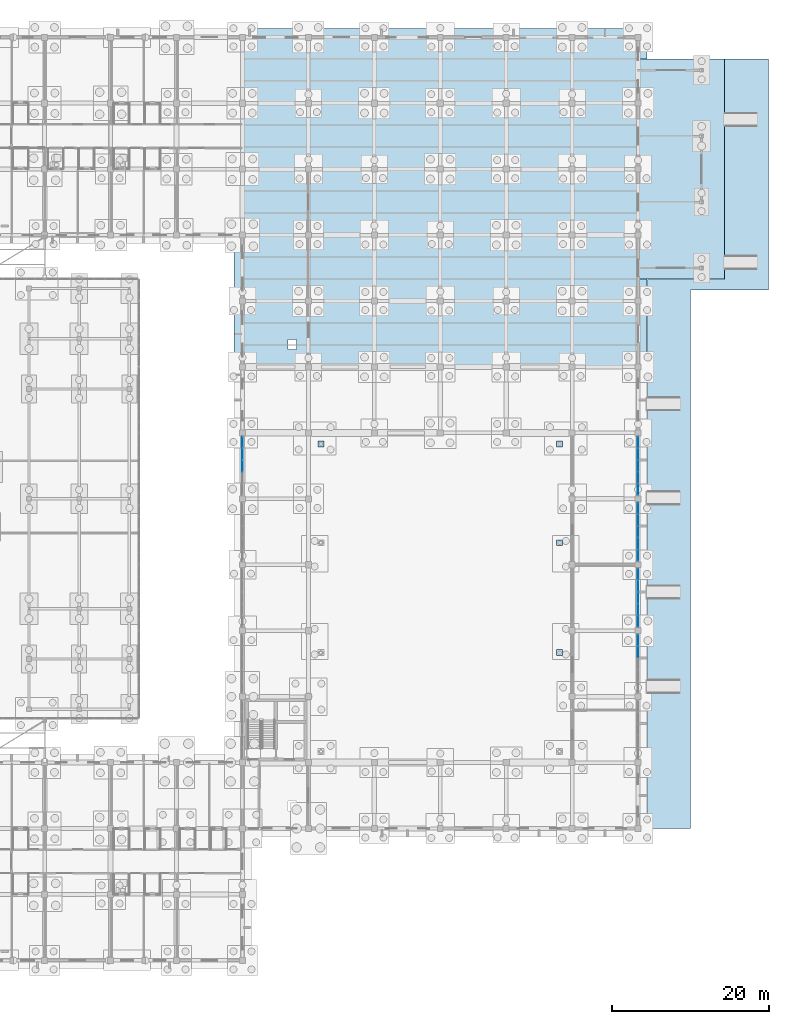
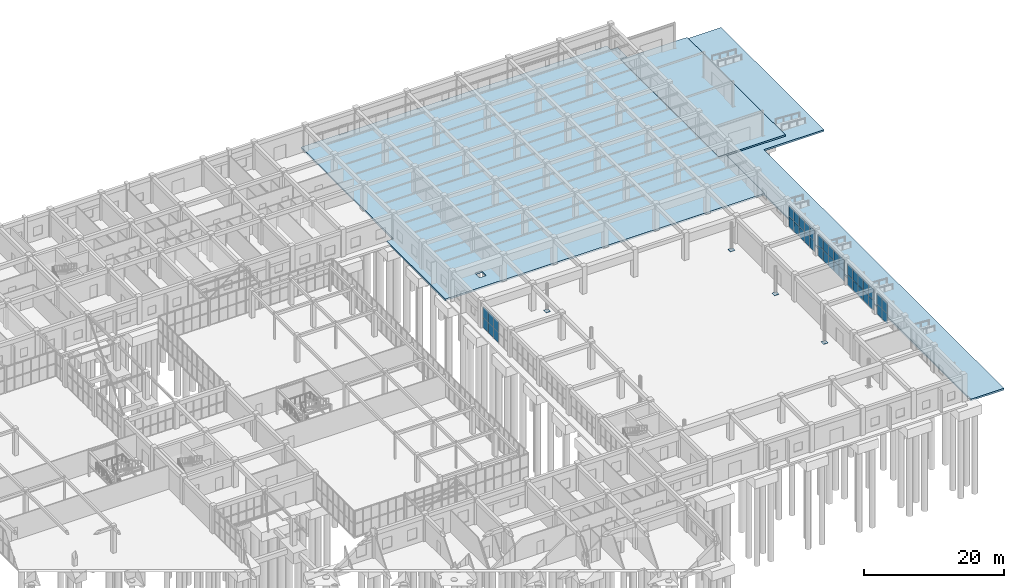
# One storey, part 145 of 192: 44 plates, 3 slabs, 5 elements without a shape of their own.
"""IFC4 building model written with IfcOpenShell, lengths in metres."""

from ifc_helpers import new_model, si_unit, direction, frame, origin, origin_2d, place, context, subcontext, project, spatial, polyline, rectangle, outline, extrude, material, layer, layer_set, type_object, element, aggregate, save


model = new_model("IFC4")

# Units and contexts
model_context = context("Model", 3, precision=1e-05, world=origin(), true_north=direction((0.0, 1.0)))
body_context = subcontext(model_context, "Body", "Model", "MODEL_VIEW")
ifc_project = project(units=[si_unit("LENGTHUNIT", "METRE"), si_unit("AREAUNIT", "SQUARE_METRE"), si_unit("VOLUMEUNIT", "CUBIC_METRE"), si_unit("PLANEANGLEUNIT", "RADIAN"), si_unit("MASSUNIT", "GRAM", prefix="KILO")], contexts=[model_context])

# Site, building, storey
site_placement = place(None, origin())
site = spatial("IfcSite", under=ifc_project, at=site_placement, CompositionType="ELEMENT")
building_placement = place(site_placement, origin())
building = spatial("IfcBuilding", under=site, at=building_placement, Name="Trelvath General Hospital", CompositionType="ELEMENT")
storey_placement = place(building_placement, origin())
storey = spatial("IfcBuildingStorey", under=building, at=storey_placement, Name="L00", CompositionType="ELEMENT", Elevation=0.0)

# Slabs
ifc_material_1 = material(Name="Concrete C35/45", Category="concrete")
ifc_layer_1 = layer(ifc_material_1, 0.300048828125)
ifc_layer_set_1 = layer_set([ifc_layer_1], Name="Concrete C35/45")
slab_type = type_object("IfcSlabType", Name="BaseSlab RC300", PredefinedType="BASESLAB", material=ifc_layer_set_1)
slab_1_placement = place(storey_placement, frame((0.0, 0.0, -0.300048828125)))
element("IfcSlab", 1, at=slab_1_placement, inside=storey, type_object=slab_type, Name="Ambulance Drop-Off Structural Base Slab", PredefinedType="BASESLAB", context=body_context, shape_type="SweptSolid", body=[
    extrude(outline(polyline([(184.820068359375, 86.800048828125), (195.800048828125, 86.800048828125), (195.800048828125, 114.800048828125), (184.820068359375, 114.800048828125), (184.820068359375, 86.800048828125)])), origin(), (0.0, 0.0, 1.0), 0.300048828125),
])
slab_2_placement = place(storey_placement, frame((0.0, 0.0, -0.300048828125)))
element("IfcSlab", 2, at=slab_2_placement, inside=storey, type_object=slab_type, Name="Floor Slab SL-L00-V2-E1", PredefinedType="BASESLAB", context=body_context, shape_type="SweptSolid", body=[
    extrude(outline(polyline([(133.300048828125, 75.6201171875), (133.300048828125, 92.3798828125), (134.39990234375, 92.3798828125), (134.39990234375, 117.60009765625), (134.419921875, 117.60009765625), (134.39990234375, 117.6201171875), (134.39990234375, 118.699951171875), (184.800048828125, 118.699951171875), (184.800048828125, 117.60009765625), (185.949951171875, 117.60009765625), (185.949951171875, 114.820068359375), (184.800048828125, 114.820068359375), (184.800048828125, 86.780029296875), (185.949951171875, 86.780029296875), (185.949951171875, 75.6201171875), (133.300048828125, 75.6201171875)]), holes=[polyline([(140.199951171875, 77.800048828125), (141.300048828125, 77.800048828125), (141.300048828125, 79.10009765625), (140.199951171875, 79.10009765625), (140.199951171875, 77.800048828125)])]), origin(), (0.0, 0.0, 1.0), 0.300048828125),
])
slab_3_placement = place(storey_placement, frame((0.0, 0.0, -0.5400390625)))
element("IfcSlab", 3, at=slab_3_placement, inside=storey, type_object=slab_type, Name="East Arrival Sidewalk Promenade Base Slab", PredefinedType="BASESLAB", context=body_context, shape_type="SweptSolid", body=[
    extrude(outline(polyline([(185.97998046875, 16.800048828125), (191.449951171875, 16.800048828125), (191.449951171875, 85.39990234375), (201.39990234375, 85.39990234375), (201.39990234375, 114.800048828125), (195.830078125, 114.800048828125), (195.830078125, 86.75), (185.97998046875, 86.75), (185.97998046875, 16.800048828125)])), origin(), (0.0, 0.0, 1.0), 0.300048828125),
])

# Plates
ifc_material_2 = material(Name="Steel S355", Category="steel")
ifc_layer_2 = layer(ifc_material_2, 0.01611328125)
ifc_layer_set_2 = layer_set([ifc_layer_2], Name="Steel S355")
plate_type_1 = type_object("IfcPlateType", Name="BearingPlate Steel16", PredefinedType="SHEET", material=ifc_layer_set_2)
for number, where, z_axis, x_axis, name in (
    (4, (144.39990234375, 65.800048828125, 0.0), (0.0, 0.0, 1.0), (1.0, 0.0, 0.0), "Tree Column Base Plate BP-04"),
    (5, (174.800048828125, 39.199951171875, 0.0), (0.0, 0.0, 1.0), (1.0, 0.0, 0.0), "Tree Column Base Plate BP-06"),
    (6, (174.800048828125, 53.199951171875, 0.0), (0.0, 0.0, 1.0), (1.0, 0.0, 0.0), "Tree Column Base Plate BP-07"),
    (7, (174.800048828125, 65.800048828125, 0.0), (0.0, 0.0, 1.0), (1.0, 0.0, 0.0), "Tree Column Base Plate BP-08"),
):
    element("IfcPlate", number, at=place(storey_placement, frame(where, z_axis=z_axis, x_axis=x_axis)), inside=storey, type_object=plate_type_1, Name=name, PredefinedType="SHEET", context=body_context, shape_type="SweptSolid", body=[
        extrude(rectangle(XDim=0.75, YDim=0.75, at=origin_2d()), origin(), (0.0, 0.0, 1.0), 0.01611328125),
    ])

# Curtain wall, plates
ifc_material_3 = material(Name="Anodised aluminium and low-E glass", Category="aluminium")
ifc_layer_3 = layer(ifc_material_3, 0.179931640625)
ifc_layer_set_3 = layer_set([ifc_layer_3], Name="Anodised aluminium and low-E glass")
curtain_wall_type = type_object("IfcCurtainWallType", Name="CW Facade 753 382 18", PredefinedType="USERDEFINED", material=ifc_layer_set_3)
curtain_wall_1_placement = place(storey_placement, origin())
curtain_wall_1 = element("IfcCurtainWall", 8, at=curtain_wall_1_placement, inside=storey, type_object=curtain_wall_type, Name="Facade Curtain Wall CW-008", ObjectType="Unitised Glazed Curtain Wall", PredefinedType="USERDEFINED")
ifc_material_4 = material(Name="Low-E laminated glass", Category="glass")
ifc_layer_4 = layer(ifc_material_4, 0.035888671875)
ifc_layer_set_4 = layer_set([ifc_layer_4], Name="Low-E laminated glass")
plate_type_2 = type_object("IfcPlateType", Name="CurtainPanel Glass36", PredefinedType="CURTAIN_PANEL", material=ifc_layer_set_4)
plate_1_placement = place(storey_placement, frame((134.39990234375, 63.0, 0.06494140625), z_axis=(0.0, 0.0, 1.0), x_axis=(0.0, 1.0, 0.0)))
plate_1 = element("IfcPlate", 9, at=plate_1_placement, type_object=plate_type_2, Name="CW-008 panel 3.1", PredefinedType="CURTAIN_PANEL", context=body_context, shape_type="SweptSolid", body=[
    extrude(rectangle(XDim=1.44091796875, YDim=0.035888671875, at=origin_2d()), origin(), (0.0, 0.0, 1.0), 1.736572265625),
])
plate_2_placement = place(storey_placement, frame((134.39990234375, 63.0, 1.86669921875), z_axis=(0.0, 0.0, 1.0), x_axis=(0.0, 1.0, 0.0)))
plate_2 = element("IfcPlate", 10, at=plate_2_placement, type_object=plate_type_2, Name="CW-008 panel 3.2", PredefinedType="CURTAIN_PANEL", context=body_context, shape_type="SweptSolid", body=[
    extrude(rectangle(XDim=1.44091796875, YDim=0.035888671875, at=origin_2d()), origin(), (0.0, 0.0, 1.0), 1.888427734375),
])
plate_3_placement = place(storey_placement, frame((134.39990234375, 64.506103515625, 0.06494140625), z_axis=(0.0, 0.0, 1.0), x_axis=(0.0, 1.0, 0.0)))
plate_3 = element("IfcPlate", 11, at=plate_3_placement, type_object=plate_type_2, Name="CW-008 panel 4.1", PredefinedType="CURTAIN_PANEL", context=body_context, shape_type="SweptSolid", body=[
    extrude(rectangle(XDim=1.44091796875, YDim=0.035888671875, at=origin_2d()), origin(), (0.0, 0.0, 1.0), 1.736572265625),
])
plate_4_placement = place(storey_placement, frame((134.39990234375, 64.506103515625, 1.86669921875), z_axis=(0.0, 0.0, 1.0), x_axis=(0.0, 1.0, 0.0)))
plate_4 = element("IfcPlate", 12, at=plate_4_placement, type_object=plate_type_2, Name="CW-008 panel 4.2", PredefinedType="CURTAIN_PANEL", context=body_context, shape_type="SweptSolid", body=[
    extrude(rectangle(XDim=1.44091796875, YDim=0.035888671875, at=origin_2d()), origin(), (0.0, 0.0, 1.0), 1.888427734375),
])
plate_5_placement = place(storey_placement, frame((134.39990234375, 65.995849609375, 0.06494140625), z_axis=(0.0, 0.0, 1.0), x_axis=(0.0, 1.0, 0.0)))
plate_5 = element("IfcPlate", 13, at=plate_5_placement, type_object=plate_type_2, Name="CW-008 panel 5.1", PredefinedType="CURTAIN_PANEL", context=body_context, shape_type="SweptSolid", body=[
    extrude(rectangle(XDim=1.408447265625, YDim=0.035888671875, at=origin_2d()), origin(), (0.0, 0.0, 1.0), 1.736572265625),
])
plate_6_placement = place(storey_placement, frame((134.39990234375, 65.995849609375, 1.86669921875), z_axis=(0.0, 0.0, 1.0), x_axis=(0.0, 1.0, 0.0)))
plate_6 = element("IfcPlate", 14, at=plate_6_placement, type_object=plate_type_2, Name="CW-008 panel 5.2", PredefinedType="CURTAIN_PANEL", context=body_context, shape_type="SweptSolid", body=[
    extrude(rectangle(XDim=1.408447265625, YDim=0.035888671875, at=origin_2d()), origin(), (0.0, 0.0, 1.0), 1.888427734375),
])
aggregate(curtain_wall_1, [plate_1, plate_2, plate_3, plate_4, plate_5, plate_6])

curtain_wall_2_placement = place(storey_placement, origin())
curtain_wall_2 = element("IfcCurtainWall", 15, at=curtain_wall_2_placement, inside=storey, type_object=curtain_wall_type, Name="Facade Curtain Wall CW-010", ObjectType="Unitised Glazed Curtain Wall", PredefinedType="USERDEFINED")
plate_7_placement = place(storey_placement, frame((184.800048828125, 40.795654296875, 0.06494140625), z_axis=(0.0, 0.0, 1.0), x_axis=(0.0, -1.0, 0.0)))
plate_7 = element("IfcPlate", 16, at=plate_7_placement, type_object=plate_type_2, Name="CW-010 panel 1.1", PredefinedType="CURTAIN_PANEL", context=body_context, shape_type="SweptSolid", body=[
    extrude(rectangle(XDim=1.408447265625, YDim=0.035888671875, at=origin_2d()), origin(), (0.0, 0.0, 1.0), 1.736572265625),
])
plate_8_placement = place(storey_placement, frame((184.800048828125, 40.795654296875, 1.86669921875), z_axis=(0.0, 0.0, 1.0), x_axis=(0.0, -1.0, 0.0)))
plate_8 = element("IfcPlate", 17, at=plate_8_placement, type_object=plate_type_2, Name="CW-010 panel 1.2", PredefinedType="CURTAIN_PANEL", context=body_context, shape_type="SweptSolid", body=[
    extrude(rectangle(XDim=1.408447265625, YDim=0.035888671875, at=origin_2d()), origin(), (0.0, 0.0, 1.0), 1.888427734375),
])
plate_9_placement = place(storey_placement, frame((184.800048828125, 39.305908203125, 0.06494140625), z_axis=(0.0, 0.0, 1.0), x_axis=(0.0, -1.0, 0.0)))
plate_9 = element("IfcPlate", 18, at=plate_9_placement, type_object=plate_type_2, Name="CW-010 panel 2.1", PredefinedType="CURTAIN_PANEL", context=body_context, shape_type="SweptSolid", body=[
    extrude(rectangle(XDim=1.44091796875, YDim=0.035888671875, at=origin_2d()), origin(), (0.0, 0.0, 1.0), 1.736572265625),
])
plate_10_placement = place(storey_placement, frame((184.800048828125, 39.305908203125, 1.86669921875), z_axis=(0.0, 0.0, 1.0), x_axis=(0.0, -1.0, 0.0)))
plate_10 = element("IfcPlate", 19, at=plate_10_placement, type_object=plate_type_2, Name="CW-010 panel 2.2", PredefinedType="CURTAIN_PANEL", context=body_context, shape_type="SweptSolid", body=[
    extrude(rectangle(XDim=1.44091796875, YDim=0.035888671875, at=origin_2d()), origin(), (0.0, 0.0, 1.0), 1.888427734375),
])
aggregate(curtain_wall_2, [plate_7, plate_8, plate_9, plate_10])

curtain_wall_3_placement = place(storey_placement, origin())
curtain_wall_3 = element("IfcCurtainWall", 20, at=curtain_wall_3_placement, inside=storey, type_object=curtain_wall_type, Name="Facade Curtain Wall CW-011", ObjectType="Unitised Glazed Curtain Wall", PredefinedType="USERDEFINED")
plate_11_placement = place(storey_placement, frame((184.800048828125, 49.19580078125, 0.06494140625), z_axis=(0.0, 0.0, 1.0), x_axis=(0.0, -1.0, 0.0)))
plate_11 = element("IfcPlate", 21, at=plate_11_placement, type_object=plate_type_2, Name="CW-011 panel 1.1", PredefinedType="CURTAIN_PANEL", context=body_context, shape_type="SweptSolid", body=[
    extrude(rectangle(XDim=1.408447265625, YDim=0.035888671875, at=origin_2d()), origin(), (0.0, 0.0, 1.0), 1.736572265625),
])
plate_12_placement = place(storey_placement, frame((184.800048828125, 49.19580078125, 1.86669921875), z_axis=(0.0, 0.0, 1.0), x_axis=(0.0, -1.0, 0.0)))
plate_12 = element("IfcPlate", 22, at=plate_12_placement, type_object=plate_type_2, Name="CW-011 panel 1.2", PredefinedType="CURTAIN_PANEL", context=body_context, shape_type="SweptSolid", body=[
    extrude(rectangle(XDim=1.408447265625, YDim=0.035888671875, at=origin_2d()), origin(), (0.0, 0.0, 1.0), 1.888427734375),
])
plate_13_placement = place(storey_placement, frame((184.800048828125, 47.7060546875, 0.06494140625), z_axis=(0.0, 0.0, 1.0), x_axis=(0.0, -1.0, 0.0)))
plate_13 = element("IfcPlate", 23, at=plate_13_placement, type_object=plate_type_2, Name="CW-011 panel 2.1", PredefinedType="CURTAIN_PANEL", context=body_context, shape_type="SweptSolid", body=[
    extrude(rectangle(XDim=1.44091796875, YDim=0.035888671875, at=origin_2d()), origin(), (0.0, 0.0, 1.0), 1.736572265625),
])
plate_14_placement = place(storey_placement, frame((184.800048828125, 47.7060546875, 1.86669921875), z_axis=(0.0, 0.0, 1.0), x_axis=(0.0, -1.0, 0.0)))
plate_14 = element("IfcPlate", 24, at=plate_14_placement, type_object=plate_type_2, Name="CW-011 panel 2.2", PredefinedType="CURTAIN_PANEL", context=body_context, shape_type="SweptSolid", body=[
    extrude(rectangle(XDim=1.44091796875, YDim=0.035888671875, at=origin_2d()), origin(), (0.0, 0.0, 1.0), 1.888427734375),
])
plate_15_placement = place(storey_placement, frame((184.800048828125, 46.199951171875, 0.06494140625), z_axis=(0.0, 0.0, 1.0), x_axis=(0.0, -1.0, 0.0)))
plate_15 = element("IfcPlate", 25, at=plate_15_placement, type_object=plate_type_2, Name="CW-011 panel 3.1", PredefinedType="CURTAIN_PANEL", context=body_context, shape_type="SweptSolid", body=[
    extrude(rectangle(XDim=1.44091796875, YDim=0.035888671875, at=origin_2d()), origin(), (0.0, 0.0, 1.0), 1.736572265625),
])
plate_16_placement = place(storey_placement, frame((184.800048828125, 46.199951171875, 1.86669921875), z_axis=(0.0, 0.0, 1.0), x_axis=(0.0, -1.0, 0.0)))
plate_16 = element("IfcPlate", 26, at=plate_16_placement, type_object=plate_type_2, Name="CW-011 panel 3.2", PredefinedType="CURTAIN_PANEL", context=body_context, shape_type="SweptSolid", body=[
    extrude(rectangle(XDim=1.44091796875, YDim=0.035888671875, at=origin_2d()), origin(), (0.0, 0.0, 1.0), 1.888427734375),
])
plate_17_placement = place(storey_placement, frame((184.800048828125, 44.694091796875, 0.06494140625), z_axis=(0.0, 0.0, 1.0), x_axis=(0.0, -1.0, 0.0)))
plate_17 = element("IfcPlate", 27, at=plate_17_placement, type_object=plate_type_2, Name="CW-011 panel 4.1", PredefinedType="CURTAIN_PANEL", context=body_context, shape_type="SweptSolid", body=[
    extrude(rectangle(XDim=1.44091796875, YDim=0.035888671875, at=origin_2d()), origin(), (0.0, 0.0, 1.0), 1.736572265625),
])
plate_18_placement = place(storey_placement, frame((184.800048828125, 44.694091796875, 1.86669921875), z_axis=(0.0, 0.0, 1.0), x_axis=(0.0, -1.0, 0.0)))
plate_18 = element("IfcPlate", 28, at=plate_18_placement, type_object=plate_type_2, Name="CW-011 panel 4.2", PredefinedType="CURTAIN_PANEL", context=body_context, shape_type="SweptSolid", body=[
    extrude(rectangle(XDim=1.44091796875, YDim=0.035888671875, at=origin_2d()), origin(), (0.0, 0.0, 1.0), 1.888427734375),
])
plate_19_placement = place(storey_placement, frame((184.800048828125, 43.204345703125, 0.06494140625), z_axis=(0.0, 0.0, 1.0), x_axis=(0.0, -1.0, 0.0)))
plate_19 = element("IfcPlate", 29, at=plate_19_placement, type_object=plate_type_2, Name="CW-011 panel 5.1", PredefinedType="CURTAIN_PANEL", context=body_context, shape_type="SweptSolid", body=[
    extrude(rectangle(XDim=1.408447265625, YDim=0.035888671875, at=origin_2d()), origin(), (0.0, 0.0, 1.0), 1.736572265625),
])
plate_20_placement = place(storey_placement, frame((184.800048828125, 43.204345703125, 1.86669921875), z_axis=(0.0, 0.0, 1.0), x_axis=(0.0, -1.0, 0.0)))
plate_20 = element("IfcPlate", 30, at=plate_20_placement, type_object=plate_type_2, Name="CW-011 panel 5.2", PredefinedType="CURTAIN_PANEL", context=body_context, shape_type="SweptSolid", body=[
    extrude(rectangle(XDim=1.408447265625, YDim=0.035888671875, at=origin_2d()), origin(), (0.0, 0.0, 1.0), 1.888427734375),
])
aggregate(curtain_wall_3, [plate_11, plate_12, plate_13, plate_14, plate_15, plate_16, plate_17, plate_18, plate_19, plate_20])

curtain_wall_4_placement = place(storey_placement, origin())
curtain_wall_4 = element("IfcCurtainWall", 31, at=curtain_wall_4_placement, inside=storey, type_object=curtain_wall_type, Name="Facade Curtain Wall CW-012", ObjectType="Unitised Glazed Curtain Wall", PredefinedType="USERDEFINED")
plate_21_placement = place(storey_placement, frame((184.800048828125, 57.595703125, 0.06494140625), z_axis=(0.0, 0.0, 1.0), x_axis=(0.0, -1.0, 0.0)))
plate_21 = element("IfcPlate", 32, at=plate_21_placement, type_object=plate_type_2, Name="CW-012 panel 1.1", PredefinedType="CURTAIN_PANEL", context=body_context, shape_type="SweptSolid", body=[
    extrude(rectangle(XDim=1.408447265625, YDim=0.035888671875, at=origin_2d()), origin(), (0.0, 0.0, 1.0), 1.736572265625),
])
plate_22_placement = place(storey_placement, frame((184.800048828125, 57.595703125, 1.86669921875), z_axis=(0.0, 0.0, 1.0), x_axis=(0.0, -1.0, 0.0)))
plate_22 = element("IfcPlate", 33, at=plate_22_placement, type_object=plate_type_2, Name="CW-012 panel 1.2", PredefinedType="CURTAIN_PANEL", context=body_context, shape_type="SweptSolid", body=[
    extrude(rectangle(XDim=1.408447265625, YDim=0.035888671875, at=origin_2d()), origin(), (0.0, 0.0, 1.0), 1.888427734375),
])
plate_23_placement = place(storey_placement, frame((184.800048828125, 56.10595703125, 0.06494140625), z_axis=(0.0, 0.0, 1.0), x_axis=(0.0, -1.0, 0.0)))
plate_23 = element("IfcPlate", 34, at=plate_23_placement, type_object=plate_type_2, Name="CW-012 panel 2.1", PredefinedType="CURTAIN_PANEL", context=body_context, shape_type="SweptSolid", body=[
    extrude(rectangle(XDim=1.44091796875, YDim=0.035888671875, at=origin_2d()), origin(), (0.0, 0.0, 1.0), 1.736572265625),
])
plate_24_placement = place(storey_placement, frame((184.800048828125, 56.10595703125, 1.86669921875), z_axis=(0.0, 0.0, 1.0), x_axis=(0.0, -1.0, 0.0)))
plate_24 = element("IfcPlate", 35, at=plate_24_placement, type_object=plate_type_2, Name="CW-012 panel 2.2", PredefinedType="CURTAIN_PANEL", context=body_context, shape_type="SweptSolid", body=[
    extrude(rectangle(XDim=1.44091796875, YDim=0.035888671875, at=origin_2d()), origin(), (0.0, 0.0, 1.0), 1.888427734375),
])
plate_25_placement = place(storey_placement, frame((184.800048828125, 54.60009765625, 0.06494140625), z_axis=(0.0, 0.0, 1.0), x_axis=(0.0, -1.0, 0.0)))
plate_25 = element("IfcPlate", 36, at=plate_25_placement, type_object=plate_type_2, Name="CW-012 panel 3.1", PredefinedType="CURTAIN_PANEL", context=body_context, shape_type="SweptSolid", body=[
    extrude(rectangle(XDim=1.44091796875, YDim=0.035888671875, at=origin_2d()), origin(), (0.0, 0.0, 1.0), 1.736572265625),
])
plate_26_placement = place(storey_placement, frame((184.800048828125, 54.60009765625, 1.86669921875), z_axis=(0.0, 0.0, 1.0), x_axis=(0.0, -1.0, 0.0)))
plate_26 = element("IfcPlate", 37, at=plate_26_placement, type_object=plate_type_2, Name="CW-012 panel 3.2", PredefinedType="CURTAIN_PANEL", context=body_context, shape_type="SweptSolid", body=[
    extrude(rectangle(XDim=1.44091796875, YDim=0.035888671875, at=origin_2d()), origin(), (0.0, 0.0, 1.0), 1.888427734375),
])
plate_27_placement = place(storey_placement, frame((184.800048828125, 53.093994140625, 0.06494140625), z_axis=(0.0, 0.0, 1.0), x_axis=(0.0, -1.0, 0.0)))
plate_27 = element("IfcPlate", 38, at=plate_27_placement, type_object=plate_type_2, Name="CW-012 panel 4.1", PredefinedType="CURTAIN_PANEL", context=body_context, shape_type="SweptSolid", body=[
    extrude(rectangle(XDim=1.44091796875, YDim=0.035888671875, at=origin_2d()), origin(), (0.0, 0.0, 1.0), 1.736572265625),
])
plate_28_placement = place(storey_placement, frame((184.800048828125, 53.093994140625, 1.86669921875), z_axis=(0.0, 0.0, 1.0), x_axis=(0.0, -1.0, 0.0)))
plate_28 = element("IfcPlate", 39, at=plate_28_placement, type_object=plate_type_2, Name="CW-012 panel 4.2", PredefinedType="CURTAIN_PANEL", context=body_context, shape_type="SweptSolid", body=[
    extrude(rectangle(XDim=1.44091796875, YDim=0.035888671875, at=origin_2d()), origin(), (0.0, 0.0, 1.0), 1.888427734375),
])
plate_29_placement = place(storey_placement, frame((184.800048828125, 51.604248046875, 0.06494140625), z_axis=(0.0, 0.0, 1.0), x_axis=(0.0, -1.0, 0.0)))
plate_29 = element("IfcPlate", 40, at=plate_29_placement, type_object=plate_type_2, Name="CW-012 panel 5.1", PredefinedType="CURTAIN_PANEL", context=body_context, shape_type="SweptSolid", body=[
    extrude(rectangle(XDim=1.408447265625, YDim=0.035888671875, at=origin_2d()), origin(), (0.0, 0.0, 1.0), 1.736572265625),
])
plate_30_placement = place(storey_placement, frame((184.800048828125, 51.604248046875, 1.86669921875), z_axis=(0.0, 0.0, 1.0), x_axis=(0.0, -1.0, 0.0)))
plate_30 = element("IfcPlate", 41, at=plate_30_placement, type_object=plate_type_2, Name="CW-012 panel 5.2", PredefinedType="CURTAIN_PANEL", context=body_context, shape_type="SweptSolid", body=[
    extrude(rectangle(XDim=1.408447265625, YDim=0.035888671875, at=origin_2d()), origin(), (0.0, 0.0, 1.0), 1.888427734375),
])
aggregate(curtain_wall_4, [plate_21, plate_22, plate_23, plate_24, plate_25, plate_26, plate_27, plate_28, plate_29, plate_30])

curtain_wall_5_placement = place(storey_placement, origin())
curtain_wall_5 = element("IfcCurtainWall", 42, at=curtain_wall_5_placement, inside=storey, type_object=curtain_wall_type, Name="Facade Curtain Wall CW-013", ObjectType="Unitised Glazed Curtain Wall", PredefinedType="USERDEFINED")
plate_31_placement = place(storey_placement, frame((184.800048828125, 65.995849609375, 0.06494140625), z_axis=(0.0, 0.0, 1.0), x_axis=(0.0, -1.0, 0.0)))
plate_31 = element("IfcPlate", 43, at=plate_31_placement, type_object=plate_type_2, Name="CW-013 panel 1.1", PredefinedType="CURTAIN_PANEL", context=body_context, shape_type="SweptSolid", body=[
    extrude(rectangle(XDim=1.408447265625, YDim=0.035888671875, at=origin_2d()), origin(), (0.0, 0.0, 1.0), 1.736572265625),
])
plate_32_placement = place(storey_placement, frame((184.800048828125, 65.995849609375, 1.86669921875), z_axis=(0.0, 0.0, 1.0), x_axis=(0.0, -1.0, 0.0)))
plate_32 = element("IfcPlate", 44, at=plate_32_placement, type_object=plate_type_2, Name="CW-013 panel 1.2", PredefinedType="CURTAIN_PANEL", context=body_context, shape_type="SweptSolid", body=[
    extrude(rectangle(XDim=1.408447265625, YDim=0.035888671875, at=origin_2d()), origin(), (0.0, 0.0, 1.0), 1.888427734375),
])
plate_33_placement = place(storey_placement, frame((184.800048828125, 64.506103515625, 0.06494140625), z_axis=(0.0, 0.0, 1.0), x_axis=(0.0, -1.0, 0.0)))
plate_33 = element("IfcPlate", 45, at=plate_33_placement, type_object=plate_type_2, Name="CW-013 panel 2.1", PredefinedType="CURTAIN_PANEL", context=body_context, shape_type="SweptSolid", body=[
    extrude(rectangle(XDim=1.44091796875, YDim=0.035888671875, at=origin_2d()), origin(), (0.0, 0.0, 1.0), 1.736572265625),
])
plate_34_placement = place(storey_placement, frame((184.800048828125, 64.506103515625, 1.86669921875), z_axis=(0.0, 0.0, 1.0), x_axis=(0.0, -1.0, 0.0)))
plate_34 = element("IfcPlate", 46, at=plate_34_placement, type_object=plate_type_2, Name="CW-013 panel 2.2", PredefinedType="CURTAIN_PANEL", context=body_context, shape_type="SweptSolid", body=[
    extrude(rectangle(XDim=1.44091796875, YDim=0.035888671875, at=origin_2d()), origin(), (0.0, 0.0, 1.0), 1.888427734375),
])
plate_35_placement = place(storey_placement, frame((184.800048828125, 63.0, 0.06494140625), z_axis=(0.0, 0.0, 1.0), x_axis=(0.0, -1.0, 0.0)))
plate_35 = element("IfcPlate", 47, at=plate_35_placement, type_object=plate_type_2, Name="CW-013 panel 3.1", PredefinedType="CURTAIN_PANEL", context=body_context, shape_type="SweptSolid", body=[
    extrude(rectangle(XDim=1.44091796875, YDim=0.035888671875, at=origin_2d()), origin(), (0.0, 0.0, 1.0), 1.736572265625),
])
plate_36_placement = place(storey_placement, frame((184.800048828125, 63.0, 1.86669921875), z_axis=(0.0, 0.0, 1.0), x_axis=(0.0, -1.0, 0.0)))
plate_36 = element("IfcPlate", 48, at=plate_36_placement, type_object=plate_type_2, Name="CW-013 panel 3.2", PredefinedType="CURTAIN_PANEL", context=body_context, shape_type="SweptSolid", body=[
    extrude(rectangle(XDim=1.44091796875, YDim=0.035888671875, at=origin_2d()), origin(), (0.0, 0.0, 1.0), 1.888427734375),
])
plate_37_placement = place(storey_placement, frame((184.800048828125, 61.493896484375, 0.06494140625), z_axis=(0.0, 0.0, 1.0), x_axis=(0.0, -1.0, 0.0)))
plate_37 = element("IfcPlate", 49, at=plate_37_placement, type_object=plate_type_2, Name="CW-013 panel 4.1", PredefinedType="CURTAIN_PANEL", context=body_context, shape_type="SweptSolid", body=[
    extrude(rectangle(XDim=1.44091796875, YDim=0.035888671875, at=origin_2d()), origin(), (0.0, 0.0, 1.0), 1.736572265625),
])
plate_38_placement = place(storey_placement, frame((184.800048828125, 61.493896484375, 1.86669921875), z_axis=(0.0, 0.0, 1.0), x_axis=(0.0, -1.0, 0.0)))
plate_38 = element("IfcPlate", 50, at=plate_38_placement, type_object=plate_type_2, Name="CW-013 panel 4.2", PredefinedType="CURTAIN_PANEL", context=body_context, shape_type="SweptSolid", body=[
    extrude(rectangle(XDim=1.44091796875, YDim=0.035888671875, at=origin_2d()), origin(), (0.0, 0.0, 1.0), 1.888427734375),
])
plate_39_placement = place(storey_placement, frame((184.800048828125, 60.004150390625, 0.06494140625), z_axis=(0.0, 0.0, 1.0), x_axis=(0.0, -1.0, 0.0)))
plate_39 = element("IfcPlate", 51, at=plate_39_placement, type_object=plate_type_2, Name="CW-013 panel 5.1", PredefinedType="CURTAIN_PANEL", context=body_context, shape_type="SweptSolid", body=[
    extrude(rectangle(XDim=1.408447265625, YDim=0.035888671875, at=origin_2d()), origin(), (0.0, 0.0, 1.0), 1.736572265625),
])
plate_40_placement = place(storey_placement, frame((184.800048828125, 60.004150390625, 1.86669921875), z_axis=(0.0, 0.0, 1.0), x_axis=(0.0, -1.0, 0.0)))
plate_40 = element("IfcPlate", 52, at=plate_40_placement, type_object=plate_type_2, Name="CW-013 panel 5.2", PredefinedType="CURTAIN_PANEL", context=body_context, shape_type="SweptSolid", body=[
    extrude(rectangle(XDim=1.408447265625, YDim=0.035888671875, at=origin_2d()), origin(), (0.0, 0.0, 1.0), 1.888427734375),
])
aggregate(curtain_wall_5, [plate_31, plate_32, plate_33, plate_34, plate_35, plate_36, plate_37, plate_38, plate_39, plate_40])

save(model, "model.ifc")
